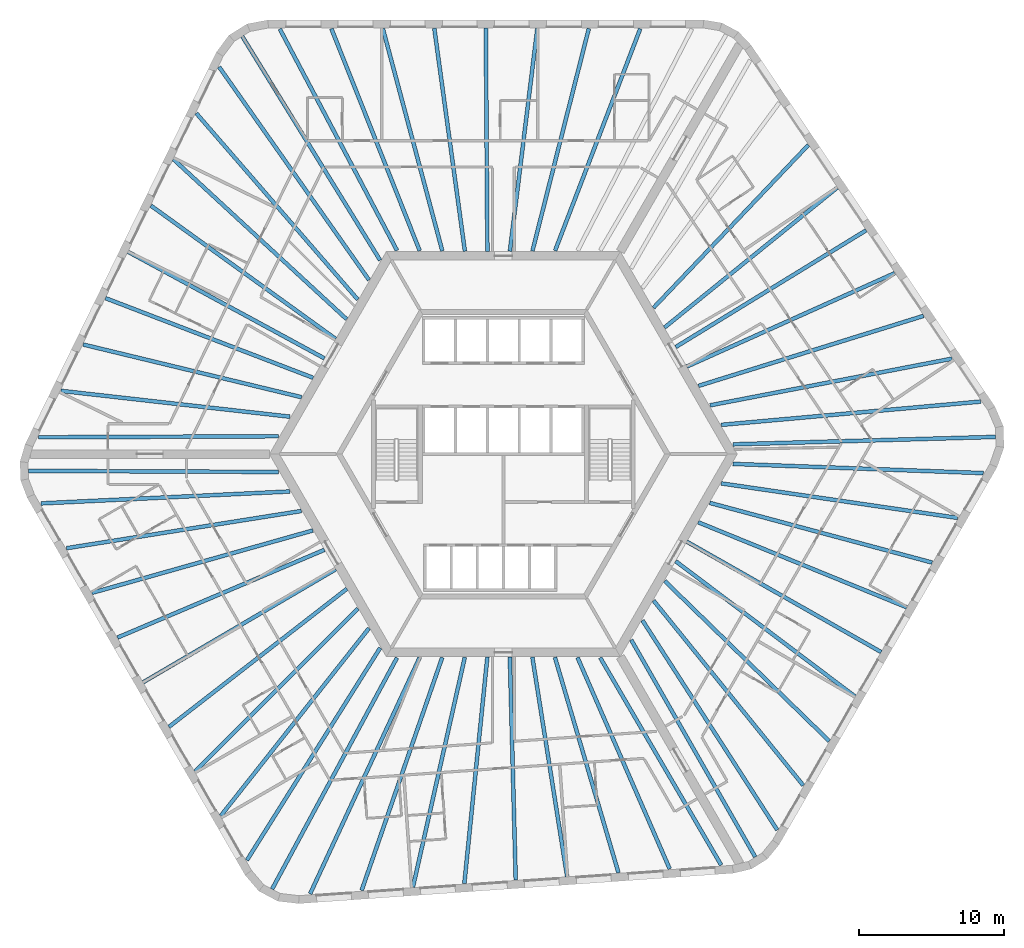
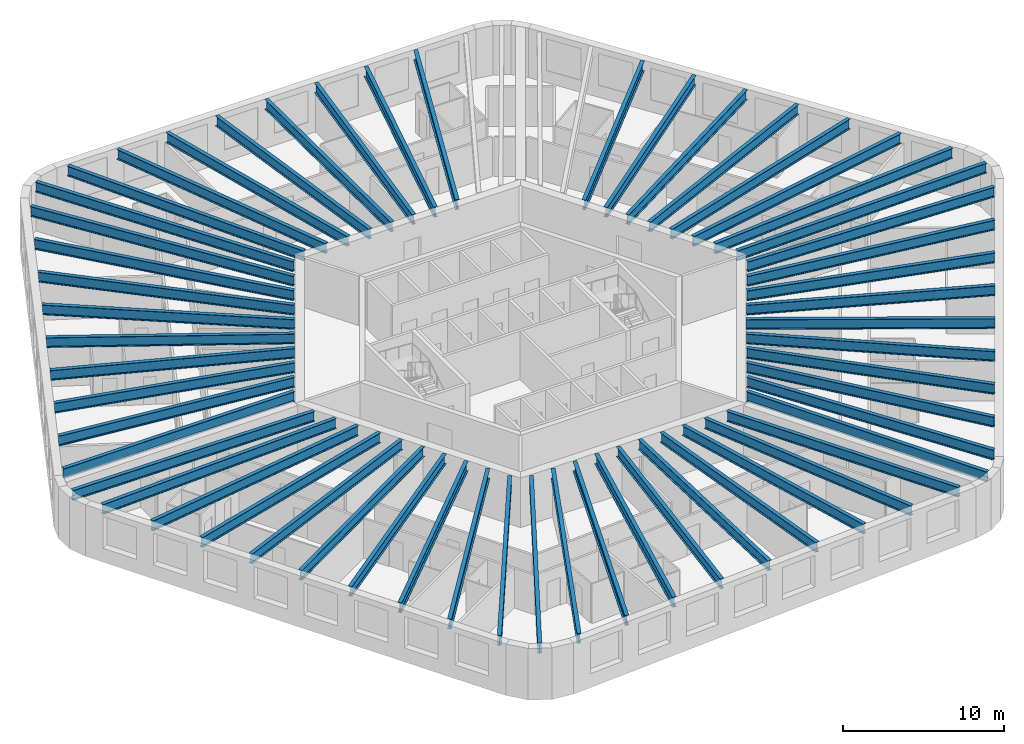
# One storey, part 1 of 12: 56 beams.
"""IFC4 building model written with IfcOpenShell, lengths in metres."""

from ifc_helpers import new_model, si_unit, direction, frame, origin, origin_2d, place, context, subcontext, project, spatial, i_section, extrude, material, material_profile, profile_set, type_object, element, save


model = new_model("IFC4")

# Units and contexts
model_context = context("Model", 3, precision=1e-05, world=origin(), true_north=direction((0.0, 1.0)))
body_context = subcontext(model_context, "Body", "Model", "MODEL_VIEW")
ifc_project = project(units=[si_unit("LENGTHUNIT", "METRE"), si_unit("AREAUNIT", "SQUARE_METRE"), si_unit("VOLUMEUNIT", "CUBIC_METRE"), si_unit("PLANEANGLEUNIT", "RADIAN"), si_unit("MASSUNIT", "GRAM", prefix="KILO")], contexts=[model_context])

# Site, building, storey
site_placement = place(None, origin())
site = spatial("IfcSite", under=ifc_project, at=site_placement, CompositionType="ELEMENT")
building_placement = place(site_placement, origin())
building = spatial("IfcBuilding", under=site, at=building_placement, Name="Tarnside Tower", CompositionType="ELEMENT")
storey_placement = place(building_placement, frame((0.0, 0.0, 88.199951171875)))
storey = spatial("IfcBuildingStorey", under=building, at=storey_placement, Name="L19", CompositionType="ELEMENT", Elevation=88.199951171875)

# Beams
ifc_material = material(Name="Steel S355", Category="steel")
ifc_material_profile_1 = material_profile(ifc_material, i_section(OverallWidth=0.26513671875, OverallDepth=0.75390625, WebThickness=0.0126953125, FlangeThickness=0.017578125, FilletRadius=0.0166015625, at=origin_2d()), Name="UB 762x267x147")
ifc_profile_set_1 = profile_set([ifc_material_profile_1], Name="Steel S355")
beam_type_1 = type_object("IfcBeamType", Name="Floor beam UB 762x267x147", PredefinedType="BEAM", material=ifc_profile_set_1)
beam_1_placement = place(storey_placement, frame((2.3525390625, 29.43017578125, 3.373046875), z_axis=(-0.122329629165, -0.992489527314, 0.0), x_axis=(0.992489527314, -0.122329629165, 0.0)))
element("IfcBeam", 1, at=beam_1_placement, inside=storey, type_object=beam_type_1, Name="Floor beam F1.04", PredefinedType="BEAM", context=body_context, shape_type="SweptSolid", body=[
    extrude(i_section(OverallWidth=0.26513671875, OverallDepth=0.75390625, WebThickness=0.0126953125, FlangeThickness=0.017578125, FilletRadius=0.0166015625, at=origin_2d()), origin(), (0.0, 0.0, 1.0), 15.527099609375),
])
beam_2_placement = place(storey_placement, frame((-1.208984375, 29.449951171875, 3.373046875), z_axis=(0.007000128723, -0.999975498799, 0.0), x_axis=(0.999975498799, 0.007000128723, 0.0)))
element("IfcBeam", 2, at=beam_2_placement, inside=storey, type_object=beam_type_1, Name="Floor beam F1.05", PredefinedType="BEAM", context=body_context, shape_type="SweptSolid", body=[
    extrude(i_section(OverallWidth=0.26513671875, OverallDepth=0.75390625, WebThickness=0.0126953125, FlangeThickness=0.017578125, FilletRadius=0.0166015625, at=origin_2d()), origin(), (0.0, 0.0, 1.0), 15.450439453125),
])
beam_3_placement = place(storey_placement, frame((-4.7705078125, 29.43017578125, 3.373046875), z_axis=(0.136000560933, -0.990708760144, 0.0), x_axis=(0.990708760144, 0.136000560933, 0.0)))
element("IfcBeam", 3, at=beam_3_placement, inside=storey, type_object=beam_type_1, Name="Floor beam F1.06", PredefinedType="BEAM", context=body_context, shape_type="SweptSolid", body=[
    extrude(i_section(OverallWidth=0.26513671875, OverallDepth=0.75390625, WebThickness=0.0126953125, FlangeThickness=0.017578125, FilletRadius=0.0166015625, at=origin_2d()), origin(), (0.0, 0.0, 1.0), 15.554931640625),
])
beam_4_placement = place(storey_placement, frame((-24.348876953125, 17.168212890625, 3.373046875), z_axis=(0.811027744825, -0.585007689799, 0.0), x_axis=(0.585007689799, 0.811027744825, 0.0)))
element("IfcBeam", 4, at=beam_4_placement, inside=storey, type_object=beam_type_1, Name="Floor beam F2.04", PredefinedType="BEAM", context=body_context, shape_type="SweptSolid", body=[
    extrude(i_section(OverallWidth=0.26513671875, OverallDepth=0.75390625, WebThickness=0.0126953125, FlangeThickness=0.017578125, FilletRadius=0.0166015625, at=origin_2d()), origin(), (0.0, 0.0, 1.0), 15.731689453125),
])
beam_5_placement = place(storey_placement, frame((-25.92626953125, 13.978271484375, 3.373046875), z_axis=(0.878894567679, -0.477016078245, 0.0), x_axis=(0.477016078245, 0.878894567679, 0.0)))
element("IfcBeam", 5, at=beam_5_placement, inside=storey, type_object=beam_type_1, Name="Floor beam F2.05", PredefinedType="BEAM", context=body_context, shape_type="SweptSolid", body=[
    extrude(i_section(OverallWidth=0.26513671875, OverallDepth=0.75390625, WebThickness=0.0126953125, FlangeThickness=0.017578125, FilletRadius=0.0166015625, at=origin_2d()), origin(), (0.0, 0.0, 1.0), 15.427490234375),
])
beam_6_placement = place(storey_placement, frame((-27.487548828125, 10.77734375, 3.373046875), z_axis=(0.933617702452, -0.358270827264, 0.0), x_axis=(0.358270827264, 0.933617702452, 0.0)))
element("IfcBeam", 6, at=beam_6_placement, inside=storey, type_object=beam_type_1, Name="Floor beam F2.06", PredefinedType="BEAM", context=body_context, shape_type="SweptSolid", body=[
    extrude(i_section(OverallWidth=0.26513671875, OverallDepth=0.75390625, WebThickness=0.0126953125, FlangeThickness=0.017578125, FilletRadius=0.0166015625, at=origin_2d()), origin(), (0.0, 0.0, 1.0), 15.363037109375),
])
beam_7_placement = place(storey_placement, frame((-29.029296875, 7.572509765625, 3.373046875), z_axis=(0.972101750991, -0.234559556873, 0.0), x_axis=(0.234559556873, 0.972101750991, 0.0)))
element("IfcBeam", 7, at=beam_7_placement, inside=storey, type_object=beam_type_1, Name="Floor beam F2.07", PredefinedType="BEAM", context=body_context, shape_type="SweptSolid", body=[
    extrude(i_section(OverallWidth=0.26513671875, OverallDepth=0.75390625, WebThickness=0.0126953125, FlangeThickness=0.017578125, FilletRadius=0.0166015625, at=origin_2d()), origin(), (0.0, 0.0, 1.0), 15.522216796875),
])
beam_8_placement = place(storey_placement, frame((-26.66357421875, -12.677734375, 3.373046875), z_axis=(0.920684021494, 0.390308765679, 0.0), x_axis=(-0.390308765679, 0.920684021494, 0.0)))
element("IfcBeam", 8, at=beam_8_placement, inside=storey, type_object=beam_type_1, Name="Floor beam F3.04", PredefinedType="BEAM", context=body_context, shape_type="SweptSolid", body=[
    extrude(i_section(OverallWidth=0.26513671875, OverallDepth=0.75390625, WebThickness=0.0126953125, FlangeThickness=0.017578125, FilletRadius=0.0166015625, at=origin_2d()), origin(), (0.0, 0.0, 1.0), 15.52685546875),
])
beam_9_placement = place(storey_placement, frame((-24.89990234375, -15.772216796875, 3.373046875), z_axis=(0.862497502004, 0.506061319443, 0.0), x_axis=(-0.506061319443, 0.862497502004, 0.0)))
element("IfcBeam", 9, at=beam_9_placement, inside=storey, type_object=beam_type_1, Name="Floor beam F3.05", PredefinedType="BEAM", context=body_context, shape_type="SweptSolid", body=[
    extrude(i_section(OverallWidth=0.26513671875, OverallDepth=0.75390625, WebThickness=0.0126953125, FlangeThickness=0.017578125, FilletRadius=0.0166015625, at=origin_2d()), origin(), (0.0, 0.0, 1.0), 15.450439453125),
])
beam_10_placement = place(storey_placement, frame((-23.10205078125, -18.846435546875, 3.373046875), z_axis=(0.789983963813, 0.613127504617, 0.0), x_axis=(-0.613127504617, 0.789983963813, 0.0)))
element("IfcBeam", 10, at=beam_10_placement, inside=storey, type_object=beam_type_1, Name="Floor beam F3.06", PredefinedType="BEAM", context=body_context, shape_type="SweptSolid", body=[
    extrude(i_section(OverallWidth=0.26513671875, OverallDepth=0.75390625, WebThickness=0.0126953125, FlangeThickness=0.017578125, FilletRadius=0.0166015625, at=origin_2d()), origin(), (0.0, 0.0, 1.0), 15.554931640625),
])
beam_11_placement = place(storey_placement, frame((-2.693603515625, -29.6708984375, 3.373046875), z_axis=(0.101123115756, 0.994873919379, 0.0), x_axis=(-0.994873919379, 0.101123115756, 0.0)))
element("IfcBeam", 11, at=beam_11_placement, inside=storey, type_object=beam_type_1, Name="Floor beam F4.04", PredefinedType="BEAM", context=body_context, shape_type="SweptSolid", body=[
    extrude(i_section(OverallWidth=0.26513671875, OverallDepth=0.75390625, WebThickness=0.0126953125, FlangeThickness=0.017578125, FilletRadius=0.0166015625, at=origin_2d()), origin(), (0.0, 0.0, 1.0), 15.7314453125),
])
beam_12_placement = place(storey_placement, frame((0.857666015625, -29.44189453125, 3.373046875), z_axis=(-0.026333316788, 0.999653218085, 0.0), x_axis=(-0.999653218085, -0.026333316788, 0.0)))
element("IfcBeam", 12, at=beam_12_placement, inside=storey, type_object=beam_type_1, Name="Floor beam F4.05", PredefinedType="BEAM", context=body_context, shape_type="SweptSolid", body=[
    extrude(i_section(OverallWidth=0.26513671875, OverallDepth=0.75390625, WebThickness=0.0126953125, FlangeThickness=0.017578125, FilletRadius=0.0166015625, at=origin_2d()), origin(), (0.0, 0.0, 1.0), 15.42724609375),
])
beam_13_placement = place(storey_placement, frame((4.41015625, -29.193603515625, 3.373046875), z_axis=(-0.156513375907, 0.98767583911, 0.0), x_axis=(-0.98767583911, -0.156513375907, 0.0)))
element("IfcBeam", 13, at=beam_13_placement, inside=storey, type_object=beam_type_1, Name="Floor beam F4.06", PredefinedType="BEAM", context=body_context, shape_type="SweptSolid", body=[
    extrude(i_section(OverallWidth=0.26513671875, OverallDepth=0.75390625, WebThickness=0.0126953125, FlangeThickness=0.017578125, FilletRadius=0.0166015625, at=origin_2d()), origin(), (0.0, 0.0, 1.0), 15.36328125),
])
beam_14_placement = place(storey_placement, frame((7.956787109375, -28.926513671875, 3.373046875), z_axis=(-0.282920694328, 0.959143305623, 0.0), x_axis=(-0.959143305623, -0.282920694328, 0.0)))
element("IfcBeam", 14, at=beam_14_placement, inside=storey, type_object=beam_type_1, Name="Floor beam F4.07", PredefinedType="BEAM", context=body_context, shape_type="SweptSolid", body=[
    extrude(i_section(OverallWidth=0.26513671875, OverallDepth=0.75390625, WebThickness=0.0126953125, FlangeThickness=0.017578125, FilletRadius=0.0166015625, at=origin_2d()), origin(), (0.0, 0.0, 1.0), 15.5224609375),
])
beam_15_placement = place(storey_placement, frame((24.31103515625, -16.75244140625, 3.373046875), z_axis=(-0.798361152727, 0.602178935049, 0.0), x_axis=(-0.602178935049, -0.798361152727, 0.0)))
element("IfcBeam", 15, at=beam_15_placement, inside=storey, type_object=beam_type_1, Name="Floor beam F5.04", PredefinedType="BEAM", context=body_context, shape_type="SweptSolid", body=[
    extrude(i_section(OverallWidth=0.26513671875, OverallDepth=0.75390625, WebThickness=0.0126953125, FlangeThickness=0.017578125, FilletRadius=0.0166015625, at=origin_2d()), origin(), (0.0, 0.0, 1.0), 15.527099609375),
])
beam_16_placement = place(storey_placement, frame((26.10888671875, -13.677978515625, 3.373046875), z_axis=(-0.869502520992, 0.493928502911, 0.0), x_axis=(-0.493928502911, -0.869502520992, 0.0)))
element("IfcBeam", 16, at=beam_16_placement, inside=storey, type_object=beam_type_1, Name="Floor beam F5.05", PredefinedType="BEAM", context=body_context, shape_type="SweptSolid", body=[
    extrude(i_section(OverallWidth=0.26513671875, OverallDepth=0.75390625, WebThickness=0.0126953125, FlangeThickness=0.017578125, FilletRadius=0.0166015625, at=origin_2d()), origin(), (0.0, 0.0, 1.0), 15.4501953125),
])
beam_17_placement = place(storey_placement, frame((27.87255859375, -10.58349609375, 3.373046875), z_axis=(-0.925981621163, 0.377568586177, 0.0), x_axis=(-0.377568586177, -0.925981621163, 0.0)))
element("IfcBeam", 17, at=beam_17_placement, inside=storey, type_object=beam_type_1, Name="Floor beam F5.06", PredefinedType="BEAM", context=body_context, shape_type="SweptSolid", body=[
    extrude(i_section(OverallWidth=0.26513671875, OverallDepth=0.75390625, WebThickness=0.0126953125, FlangeThickness=0.017578125, FilletRadius=0.0166015625, at=origin_2d()), origin(), (0.0, 0.0, 1.0), 15.554931640625),
])
beam_18_placement = place(storey_placement, frame((27.04248046875, 12.502685546875, 3.373046875), z_axis=(-0.912146413919, -0.409864513681, 0.0), x_axis=(0.409864513681, -0.912146413919, 0.0)))
element("IfcBeam", 18, at=beam_18_placement, inside=storey, type_object=beam_type_1, Name="Floor beam F6.04", PredefinedType="BEAM", context=body_context, shape_type="SweptSolid", body=[
    extrude(i_section(OverallWidth=0.26513671875, OverallDepth=0.75390625, WebThickness=0.0126953125, FlangeThickness=0.017578125, FilletRadius=0.0166015625, at=origin_2d()), origin(), (0.0, 0.0, 1.0), 15.7314453125),
])
beam_19_placement = place(storey_placement, frame((25.068603515625, 15.463623046875, 3.373046875), z_axis=(-0.852558490017, -0.522631821744, 0.0), x_axis=(0.522631821744, -0.852558490017, 0.0)))
element("IfcBeam", 19, at=beam_19_placement, inside=storey, type_object=beam_type_1, Name="Floor beam F6.05", PredefinedType="BEAM", context=body_context, shape_type="SweptSolid", body=[
    extrude(i_section(OverallWidth=0.26513671875, OverallDepth=0.75390625, WebThickness=0.0126953125, FlangeThickness=0.017578125, FilletRadius=0.0166015625, at=origin_2d()), origin(), (0.0, 0.0, 1.0), 15.42724609375),
])
beam_20_placement = place(storey_placement, frame((23.0771484375, 18.416259765625, 3.373046875), z_axis=(-0.777079423039, -0.629402550272, 0.0), x_axis=(0.629402550272, -0.777079423039, 0.0)))
element("IfcBeam", 20, at=beam_20_placement, inside=storey, type_object=beam_type_1, Name="Floor beam F6.06", PredefinedType="BEAM", context=body_context, shape_type="SweptSolid", body=[
    extrude(i_section(OverallWidth=0.26513671875, OverallDepth=0.75390625, WebThickness=0.0126953125, FlangeThickness=0.017578125, FilletRadius=0.0166015625, at=origin_2d()), origin(), (0.0, 0.0, 1.0), 15.36328125),
])
beam_21_placement = place(storey_placement, frame((21.072509765625, 21.35400390625, 3.373046875), z_axis=(-0.689174694318, -0.724595225427, 0.0), x_axis=(0.724595225427, -0.689174694318, 0.0)))
element("IfcBeam", 21, at=beam_21_placement, inside=storey, type_object=beam_type_1, Name="Floor beam F6.07", PredefinedType="BEAM", context=body_context, shape_type="SweptSolid", body=[
    extrude(i_section(OverallWidth=0.26513671875, OverallDepth=0.75390625, WebThickness=0.0126953125, FlangeThickness=0.017578125, FilletRadius=0.0166015625, at=origin_2d()), origin(), (0.0, 0.0, 1.0), 15.522216796875),
])
ifc_material_profile_2 = material_profile(ifc_material, i_section(OverallWidth=0.2666015625, OverallDepth=0.76220703125, WebThickness=0.014404296875, FlangeThickness=0.021484375, FilletRadius=0.0166015625, at=origin_2d()), Name="UB 762x267x173")
ifc_profile_set_2 = profile_set([ifc_material_profile_2], Name="Steel S355")
beam_type_2 = type_object("IfcBeamType", Name="Floor beam UB 762x267x173", PredefinedType="BEAM", material=ifc_profile_set_2)
beam_22_placement = place(storey_placement, frame((9.4619140625, 29.39404296875, 3.368896484375), z_axis=(-0.358299847269, -0.933606565662, 0.0), x_axis=(0.933606565662, -0.358299847269, 0.0)))
element("IfcBeam", 22, at=beam_22_placement, inside=storey, type_object=beam_type_2, Name="Floor beam F1.02", PredefinedType="BEAM", context=body_context, shape_type="SweptSolid", body=[
    extrude(i_section(OverallWidth=0.2666015625, OverallDepth=0.76220703125, WebThickness=0.014404296875, FlangeThickness=0.021484375, FilletRadius=0.0166015625, at=origin_2d()), origin(), (0.0, 0.0, 1.0), 16.428955078125),
])
beam_23_placement = place(storey_placement, frame((5.909423828125, 29.4111328125, 3.368896484375), z_axis=(-0.245747281389, -0.969333933013, 0.0), x_axis=(0.969333933013, -0.245747281389, 0.0)))
element("IfcBeam", 23, at=beam_23_placement, inside=storey, type_object=beam_type_2, Name="Floor beam F1.03", PredefinedType="BEAM", context=body_context, shape_type="SweptSolid", body=[
    extrude(i_section(OverallWidth=0.2666015625, OverallDepth=0.76220703125, WebThickness=0.014404296875, FlangeThickness=0.021484375, FilletRadius=0.0166015625, at=origin_2d()), origin(), (0.0, 0.0, 1.0), 15.858642578125),
])
beam_24_placement = place(storey_placement, frame((-8.3271484375, 29.411376953125, 3.368896484375), z_axis=(0.258447478572, -0.966025310652, 0.0), x_axis=(0.966025310652, 0.258447478572, 0.0)))
element("IfcBeam", 24, at=beam_24_placement, inside=storey, type_object=beam_type_2, Name="Floor beam F1.07", PredefinedType="BEAM", context=body_context, shape_type="SweptSolid", body=[
    extrude(i_section(OverallWidth=0.2666015625, OverallDepth=0.76220703125, WebThickness=0.014404296875, FlangeThickness=0.021484375, FilletRadius=0.0166015625, at=origin_2d()), origin(), (0.0, 0.0, 1.0), 15.91357421875),
])
beam_25_placement = place(storey_placement, frame((-11.87939453125, 29.394287109375, 3.368896484375), z_axis=(0.369638204477, -0.929175762593, 0.0), x_axis=(0.929175762593, 0.369638204477, 0.0)))
element("IfcBeam", 25, at=beam_25_placement, inside=storey, type_object=beam_type_2, Name="Floor beam F1.08", PredefinedType="BEAM", context=body_context, shape_type="SweptSolid", body=[
    extrude(i_section(OverallWidth=0.2666015625, OverallDepth=0.76220703125, WebThickness=0.014404296875, FlangeThickness=0.021484375, FilletRadius=0.0166015625, at=origin_2d()), origin(), (0.0, 0.0, 1.0), 16.507568359375),
])
beam_26_placement = place(storey_placement, frame((-15.44580078125, 29.37939453125, 3.368896484375), z_axis=(0.467741993634, -0.883865050441, 0.0), x_axis=(0.883865050441, 0.467741993634, 0.0)))
element("IfcBeam", 26, at=beam_26_placement, inside=storey, type_object=beam_type_2, Name="Floor beam F1.09", PredefinedType="BEAM", context=body_context, shape_type="SweptSolid", body=[
    extrude(i_section(OverallWidth=0.2666015625, OverallDepth=0.76220703125, WebThickness=0.014404296875, FlangeThickness=0.021484375, FilletRadius=0.0166015625, at=origin_2d()), origin(), (0.0, 0.0, 1.0), 17.320068359375),
])
beam_27_placement = place(storey_placement, frame((-18.042236328125, 28.8701171875, 3.368896484375), z_axis=(0.524382977035, -0.851482526771, 0.0), x_axis=(0.851482526771, 0.524382977035, 0.0)))
element("IfcBeam", 27, at=beam_27_placement, inside=storey, type_object=beam_type_2, Name="Floor beam C1", PredefinedType="BEAM", context=body_context, shape_type="SweptSolid", body=[
    extrude(i_section(OverallWidth=0.2666015625, OverallDepth=0.76220703125, WebThickness=0.014404296875, FlangeThickness=0.021484375, FilletRadius=0.0166015625, at=origin_2d()), origin(), (0.0, 0.0, 1.0), 18.1728515625),
])
beam_28_placement = place(storey_placement, frame((-19.638671875, 26.75537109375, 3.368896484375), z_axis=(0.575411427849, -0.817864101609, 0.0), x_axis=(0.817864101609, 0.575411427849, 0.0)))
element("IfcBeam", 28, at=beam_28_placement, inside=storey, type_object=beam_type_2, Name="Floor beam F2.01", PredefinedType="BEAM", context=body_context, shape_type="SweptSolid", body=[
    extrude(i_section(OverallWidth=0.2666015625, OverallDepth=0.76220703125, WebThickness=0.014404296875, FlangeThickness=0.021484375, FilletRadius=0.0166015625, at=origin_2d()), origin(), (0.0, 0.0, 1.0), 18.00048828125),
])
beam_29_placement = place(storey_placement, frame((-21.21630859375, 23.554931640625, 3.368896484375), z_axis=(0.654980748073, -0.755645564834, 0.0), x_axis=(0.755645564834, 0.654980748073, 0.0)))
element("IfcBeam", 29, at=beam_29_placement, inside=storey, type_object=beam_type_2, Name="Floor beam F2.02", PredefinedType="BEAM", context=body_context, shape_type="SweptSolid", body=[
    extrude(i_section(OverallWidth=0.2666015625, OverallDepth=0.76220703125, WebThickness=0.014404296875, FlangeThickness=0.021484375, FilletRadius=0.0166015625, at=origin_2d()), origin(), (0.0, 0.0, 1.0), 17.0302734375),
])
beam_30_placement = place(storey_placement, frame((-22.7890625, 20.368408203125, 3.368896484375), z_axis=(0.734715474517, -0.678375391288, 0.0), x_axis=(0.678375391288, 0.734715474517, 0.0)))
element("IfcBeam", 30, at=beam_30_placement, inside=storey, type_object=beam_type_2, Name="Floor beam F2.03", PredefinedType="BEAM", context=body_context, shape_type="SweptSolid", body=[
    extrude(i_section(OverallWidth=0.2666015625, OverallDepth=0.76220703125, WebThickness=0.014404296875, FlangeThickness=0.021484375, FilletRadius=0.0166015625, at=origin_2d()), origin(), (0.0, 0.0, 1.0), 16.2802734375),
])
beam_31_placement = place(storey_placement, frame((-30.570556640625, 4.372802734375, 3.368896484375), z_axis=(0.993687302776, -0.112185312326, 0.0), x_axis=(0.112185312326, 0.993687302776, 0.0)))
element("IfcBeam", 31, at=beam_31_placement, inside=storey, type_object=beam_type_2, Name="Floor beam F2.08", PredefinedType="BEAM", context=body_context, shape_type="SweptSolid", body=[
    extrude(i_section(OverallWidth=0.2666015625, OverallDepth=0.76220703125, WebThickness=0.014404296875, FlangeThickness=0.021484375, FilletRadius=0.0166015625, at=origin_2d()), origin(), (0.0, 0.0, 1.0), 15.934326171875),
])
beam_32_placement = place(storey_placement, frame((-32.119384765625, 1.162109375, 3.368896484375), z_axis=(0.999990508787, 0.004356872304, 0.0), x_axis=(-0.004356872304, 0.999990508787, 0.0)))
element("IfcBeam", 32, at=beam_32_placement, inside=storey, type_object=beam_type_2, Name="Floor beam F2.09", PredefinedType="BEAM", context=body_context, shape_type="SweptSolid", body=[
    extrude(i_section(OverallWidth=0.2666015625, OverallDepth=0.76220703125, WebThickness=0.014404296875, FlangeThickness=0.021484375, FilletRadius=0.0166015625, at=origin_2d()), origin(), (0.0, 0.0, 1.0), 16.586669921875),
])
beam_33_placement = place(storey_placement, frame((-32.80712890625, -1.1572265625, 3.368896484375), z_axis=(0.999990027056, -0.004466070929, 0.0), x_axis=(0.004466070929, 0.999990027056, 0.0)))
element("IfcBeam", 33, at=beam_33_placement, inside=storey, type_object=beam_type_2, Name="Floor beam C2", PredefinedType="BEAM", context=body_context, shape_type="SweptSolid", body=[
    extrude(i_section(OverallWidth=0.2666015625, OverallDepth=0.76220703125, WebThickness=0.014404296875, FlangeThickness=0.021484375, FilletRadius=0.0166015625, at=origin_2d()), origin(), (0.0, 0.0, 1.0), 17.2744140625),
])
beam_34_placement = place(storey_placement, frame((-31.95703125, -3.406494140625, 3.368896484375), z_axis=(0.998853818522, 0.047864905982, 0.0), x_axis=(-0.047864905982, 0.998853818522, 0.0)))
element("IfcBeam", 34, at=beam_34_placement, inside=storey, type_object=beam_type_2, Name="Floor beam F3.01", PredefinedType="BEAM", context=body_context, shape_type="SweptSolid", body=[
    extrude(i_section(OverallWidth=0.2666015625, OverallDepth=0.76220703125, WebThickness=0.014404296875, FlangeThickness=0.021484375, FilletRadius=0.0166015625, at=origin_2d()), origin(), (0.0, 0.0, 1.0), 17.2197265625),
])
beam_35_placement = place(storey_placement, frame((-30.18701171875, -6.502685546875, 3.368896484375), z_axis=(0.987678477078, 0.156496728136, 0.0), x_axis=(-0.156496728136, 0.987678477078, 0.0)))
element("IfcBeam", 35, at=beam_35_placement, inside=storey, type_object=beam_type_2, Name="Floor beam F3.02", PredefinedType="BEAM", context=body_context, shape_type="SweptSolid", body=[
    extrude(i_section(OverallWidth=0.2666015625, OverallDepth=0.76220703125, WebThickness=0.014404296875, FlangeThickness=0.021484375, FilletRadius=0.0166015625, at=origin_2d()), origin(), (0.0, 0.0, 1.0), 16.4287109375),
])
beam_36_placement = place(storey_placement, frame((-28.425537109375, -9.587890625, 3.368896484375), z_axis=(0.962342240503, 0.271840784547, 0.0), x_axis=(-0.271840784547, 0.962342240503, 0.0)))
element("IfcBeam", 36, at=beam_36_placement, inside=storey, type_object=beam_type_2, Name="Floor beam F3.03", PredefinedType="BEAM", context=body_context, shape_type="SweptSolid", body=[
    extrude(i_section(OverallWidth=0.2666015625, OverallDepth=0.76220703125, WebThickness=0.014404296875, FlangeThickness=0.021484375, FilletRadius=0.0166015625, at=origin_2d()), origin(), (0.0, 0.0, 1.0), 15.858642578125),
])
beam_37_placement = place(storey_placement, frame((-21.307373046875, -21.917236328125, 3.368896484375), z_axis=(0.707367544857, 0.706845921318, 0.0), x_axis=(-0.706845921318, 0.707367544857, 0.0)))
element("IfcBeam", 37, at=beam_37_placement, inside=storey, type_object=beam_type_2, Name="Floor beam F3.07", PredefinedType="BEAM", context=body_context, shape_type="SweptSolid", body=[
    extrude(i_section(OverallWidth=0.2666015625, OverallDepth=0.76220703125, WebThickness=0.014404296875, FlangeThickness=0.021484375, FilletRadius=0.0166015625, at=origin_2d()), origin(), (0.0, 0.0, 1.0), 15.913330078125),
])
beam_38_placement = place(storey_placement, frame((-19.516357421875, -24.985107421875, 3.368896484375), z_axis=(0.619872995007, 0.784702153725, 0.0), x_axis=(-0.784702153725, 0.619872995007, 0.0)))
element("IfcBeam", 38, at=beam_38_placement, inside=storey, type_object=beam_type_2, Name="Floor beam F3.08", PredefinedType="BEAM", context=body_context, shape_type="SweptSolid", body=[
    extrude(i_section(OverallWidth=0.2666015625, OverallDepth=0.76220703125, WebThickness=0.014404296875, FlangeThickness=0.021484375, FilletRadius=0.0166015625, at=origin_2d()), origin(), (0.0, 0.0, 1.0), 16.507568359375),
])
beam_39_placement = place(storey_placement, frame((-17.72021484375, -28.066162109375, 3.368896484375), z_axis=(0.531583085704, 0.847006152866, 0.0), x_axis=(-0.847006152866, 0.531583085704, 0.0)))
element("IfcBeam", 39, at=beam_39_placement, inside=storey, type_object=beam_type_2, Name="Floor beam F3.09", PredefinedType="BEAM", context=body_context, shape_type="SweptSolid", body=[
    extrude(i_section(OverallWidth=0.2666015625, OverallDepth=0.76220703125, WebThickness=0.014404296875, FlangeThickness=0.021484375, FilletRadius=0.0166015625, at=origin_2d()), origin(), (0.0, 0.0, 1.0), 17.320068359375),
])
beam_40_placement = place(storey_placement, frame((-15.981201171875, -30.060302734375, 3.368896484375), z_axis=(0.475208200571, 0.879873380726, 0.0), x_axis=(-0.879873380726, 0.475208200571, 0.0)))
element("IfcBeam", 40, at=beam_40_placement, inside=storey, type_object=beam_type_2, Name="Floor beam C3", PredefinedType="BEAM", context=body_context, shape_type="SweptSolid", body=[
    extrude(i_section(OverallWidth=0.2666015625, OverallDepth=0.76220703125, WebThickness=0.014404296875, FlangeThickness=0.021484375, FilletRadius=0.0166015625, at=origin_2d()), origin(), (0.0, 0.0, 1.0), 18.173095703125),
])
beam_41_placement = place(storey_placement, frame((-13.3515625, -30.38525390625, 3.368896484375), z_axis=(0.42059199668, 0.907249895193, 0.0), x_axis=(-0.907249895193, 0.42059199668, 0.0)))
element("IfcBeam", 41, at=beam_41_placement, inside=storey, type_object=beam_type_2, Name="Floor beam F4.01", PredefinedType="BEAM", context=body_context, shape_type="SweptSolid", body=[
    extrude(i_section(OverallWidth=0.2666015625, OverallDepth=0.76220703125, WebThickness=0.014404296875, FlangeThickness=0.021484375, FilletRadius=0.0166015625, at=origin_2d()), origin(), (0.0, 0.0, 1.0), 18.000244140625),
])
beam_42_placement = place(storey_placement, frame((-9.791015625, -30.151123046875, 3.368896484375), z_axis=(0.326912128872, 0.945054739153, 0.0), x_axis=(-0.945054739153, 0.326912128872, 0.0)))
element("IfcBeam", 42, at=beam_42_placement, inside=storey, type_object=beam_type_2, Name="Floor beam F4.02", PredefinedType="BEAM", context=body_context, shape_type="SweptSolid", body=[
    extrude(i_section(OverallWidth=0.2666015625, OverallDepth=0.76220703125, WebThickness=0.014404296875, FlangeThickness=0.021484375, FilletRadius=0.0166015625, at=origin_2d()), origin(), (0.0, 0.0, 1.0), 17.0302734375),
])
beam_43_placement = place(storey_placement, frame((-6.2451171875, -29.920166015625, 3.368896484375), z_axis=(0.220139818673, 0.975468328668, 0.0), x_axis=(-0.975468328668, 0.220139818673, 0.0)))
element("IfcBeam", 43, at=beam_43_placement, inside=storey, type_object=beam_type_2, Name="Floor beam F4.03", PredefinedType="BEAM", context=body_context, shape_type="SweptSolid", body=[
    extrude(i_section(OverallWidth=0.2666015625, OverallDepth=0.76220703125, WebThickness=0.014404296875, FlangeThickness=0.021484375, FilletRadius=0.0166015625, at=origin_2d()), origin(), (0.0, 0.0, 1.0), 16.280517578125),
])
beam_44_placement = place(storey_placement, frame((11.498291015625, -28.6611328125, 3.368896484375), z_axis=(-0.399695682658, 0.916647893831, 0.0), x_axis=(-0.916647893831, -0.399695682658, 0.0)))
element("IfcBeam", 44, at=beam_44_placement, inside=storey, type_object=beam_type_2, Name="Floor beam F4.08", PredefinedType="BEAM", context=body_context, shape_type="SweptSolid", body=[
    extrude(i_section(OverallWidth=0.2666015625, OverallDepth=0.76220703125, WebThickness=0.014404296875, FlangeThickness=0.021484375, FilletRadius=0.0166015625, at=origin_2d()), origin(), (0.0, 0.0, 1.0), 15.934326171875),
])
beam_45_placement = place(storey_placement, frame((15.05322265625, -28.3974609375, 3.368896484375), z_axis=(-0.503758455062, 0.86384455717, 0.0), x_axis=(-0.86384455717, -0.503758455062, 0.0)))
element("IfcBeam", 45, at=beam_45_placement, inside=storey, type_object=beam_type_2, Name="Floor beam F4.09", PredefinedType="BEAM", context=body_context, shape_type="SweptSolid", body=[
    extrude(i_section(OverallWidth=0.2666015625, OverallDepth=0.76220703125, WebThickness=0.014404296875, FlangeThickness=0.021484375, FilletRadius=0.0166015625, at=origin_2d()), origin(), (0.0, 0.0, 1.0), 16.586669921875),
])
beam_46_placement = place(storey_placement, frame((17.40576171875, -27.833251953125, 3.368896484375), z_axis=(-0.496126762138, 0.868250099851, 0.0), x_axis=(-0.868250099851, -0.496126762138, 0.0)))
element("IfcBeam", 46, at=beam_46_placement, inside=storey, type_object=beam_type_2, Name="Floor beam C4", PredefinedType="BEAM", context=body_context, shape_type="SweptSolid", body=[
    extrude(i_section(OverallWidth=0.2666015625, OverallDepth=0.76220703125, WebThickness=0.014404296875, FlangeThickness=0.021484375, FilletRadius=0.0166015625, at=origin_2d()), origin(), (0.0, 0.0, 1.0), 17.2744140625),
])
beam_47_placement = place(storey_placement, frame((18.9287109375, -25.972412109375, 3.368896484375), z_axis=(-0.540872954463, 0.841104302171, 0.0), x_axis=(-0.841104302171, -0.540872954463, 0.0)))
element("IfcBeam", 47, at=beam_47_placement, inside=storey, type_object=beam_type_2, Name="Floor beam F5.01", PredefinedType="BEAM", context=body_context, shape_type="SweptSolid", body=[
    extrude(i_section(OverallWidth=0.2666015625, OverallDepth=0.76220703125, WebThickness=0.014404296875, FlangeThickness=0.021484375, FilletRadius=0.0166015625, at=origin_2d()), origin(), (0.0, 0.0, 1.0), 17.2197265625),
])
beam_48_placement = place(storey_placement, frame((20.72509765625, -22.89111328125, 3.368896484375), z_axis=(-0.62939015525, 0.777089462336, 0.0), x_axis=(-0.777089462336, -0.62939015525, 0.0)))
element("IfcBeam", 48, at=beam_48_placement, inside=storey, type_object=beam_type_2, Name="Floor beam F5.02", PredefinedType="BEAM", context=body_context, shape_type="SweptSolid", body=[
    extrude(i_section(OverallWidth=0.2666015625, OverallDepth=0.76220703125, WebThickness=0.014404296875, FlangeThickness=0.021484375, FilletRadius=0.0166015625, at=origin_2d()), origin(), (0.0, 0.0, 1.0), 16.4287109375),
])
beam_49_placement = place(storey_placement, frame((22.51611328125, -19.8232421875, 3.368896484375), z_axis=(-0.716594696052, 0.697489814686, 0.0), x_axis=(-0.697489814686, -0.716594696052, 0.0)))
element("IfcBeam", 49, at=beam_49_placement, inside=storey, type_object=beam_type_2, Name="Floor beam F5.03", PredefinedType="BEAM", context=body_context, shape_type="SweptSolid", body=[
    extrude(i_section(OverallWidth=0.2666015625, OverallDepth=0.76220703125, WebThickness=0.014404296875, FlangeThickness=0.021484375, FilletRadius=0.0166015625, at=origin_2d()), origin(), (0.0, 0.0, 1.0), 15.858642578125),
])
beam_50_placement = place(storey_placement, frame((29.634521484375, -7.494140625, 3.368896484375), z_axis=(-0.965827851395, 0.259184415946, 0.0), x_axis=(-0.259184415946, -0.965827851395, 0.0)))
element("IfcBeam", 50, at=beam_50_placement, inside=storey, type_object=beam_type_2, Name="Floor beam F5.07", PredefinedType="BEAM", context=body_context, shape_type="SweptSolid", body=[
    extrude(i_section(OverallWidth=0.2666015625, OverallDepth=0.76220703125, WebThickness=0.014404296875, FlangeThickness=0.021484375, FilletRadius=0.0166015625, at=origin_2d()), origin(), (0.0, 0.0, 1.0), 15.913330078125),
])
beam_51_placement = place(storey_placement, frame((31.39599609375, -4.4091796875, 3.368896484375), z_axis=(-0.989507887412, 0.144478859177, 0.0), x_axis=(-0.144478859177, -0.989507887412, 0.0)))
element("IfcBeam", 51, at=beam_51_placement, inside=storey, type_object=beam_type_2, Name="Floor beam F5.08", PredefinedType="BEAM", context=body_context, shape_type="SweptSolid", body=[
    extrude(i_section(OverallWidth=0.2666015625, OverallDepth=0.76220703125, WebThickness=0.014404296875, FlangeThickness=0.021484375, FilletRadius=0.0166015625, at=origin_2d()), origin(), (0.0, 0.0, 1.0), 16.507568359375),
])
beam_52_placement = place(storey_placement, frame((33.166259765625, -1.31298828125, 3.368896484375), z_axis=(-0.999320941149, 0.036846391708, 0.0), x_axis=(-0.036846391708, -0.999320941149, 0.0)))
element("IfcBeam", 52, at=beam_52_placement, inside=storey, type_object=beam_type_2, Name="Floor beam F5.09", PredefinedType="BEAM", context=body_context, shape_type="SweptSolid", body=[
    extrude(i_section(OverallWidth=0.2666015625, OverallDepth=0.76220703125, WebThickness=0.014404296875, FlangeThickness=0.021484375, FilletRadius=0.0166015625, at=origin_2d()), origin(), (0.0, 0.0, 1.0), 17.320068359375),
])
beam_53_placement = place(storey_placement, frame((34.0234375, 1.18994140625, 3.368896484375), z_axis=(-0.999597013499, -0.028386803343, 0.0), x_axis=(0.028386803343, -0.999597013499, 0.0)))
element("IfcBeam", 53, at=beam_53_placement, inside=storey, type_object=beam_type_2, Name="Floor beam C5", PredefinedType="BEAM", context=body_context, shape_type="SweptSolid", body=[
    extrude(i_section(OverallWidth=0.2666015625, OverallDepth=0.76220703125, WebThickness=0.014404296875, FlangeThickness=0.021484375, FilletRadius=0.0166015625, at=origin_2d()), origin(), (0.0, 0.0, 1.0), 18.1728515625),
])
beam_54_placement = place(storey_placement, frame((32.990234375, 3.6298828125, 3.368896484375), z_axis=(-0.995997485142, -0.089381259731, 0.0), x_axis=(0.089381259731, -0.995997485142, 0.0)))
element("IfcBeam", 54, at=beam_54_placement, inside=storey, type_object=beam_type_2, Name="Floor beam F6.01", PredefinedType="BEAM", context=body_context, shape_type="SweptSolid", body=[
    extrude(i_section(OverallWidth=0.2666015625, OverallDepth=0.76220703125, WebThickness=0.014404296875, FlangeThickness=0.021484375, FilletRadius=0.0166015625, at=origin_2d()), origin(), (0.0, 0.0, 1.0), 18.000244140625),
])
beam_55_placement = place(storey_placement, frame((31.007080078125, 6.596435546875, 3.368896484375), z_axis=(-0.981896564922, -0.189417886679, 0.0), x_axis=(0.189417886679, -0.981896564922, 0.0)))
element("IfcBeam", 55, at=beam_55_placement, inside=storey, type_object=beam_type_2, Name="Floor beam F6.02", PredefinedType="BEAM", context=body_context, shape_type="SweptSolid", body=[
    extrude(i_section(OverallWidth=0.2666015625, OverallDepth=0.76220703125, WebThickness=0.014404296875, FlangeThickness=0.021484375, FilletRadius=0.0166015625, at=origin_2d()), origin(), (0.0, 0.0, 1.0), 17.0302734375),
])
beam_56_placement = place(storey_placement, frame((29.0341796875, 9.5517578125, 3.368896484375), z_axis=(-0.954846945108, -0.297098151152, 0.0), x_axis=(0.297098151152, -0.954846945108, 0.0)))
element("IfcBeam", 56, at=beam_56_placement, inside=storey, type_object=beam_type_2, Name="Floor beam F6.03", PredefinedType="BEAM", context=body_context, shape_type="SweptSolid", body=[
    extrude(i_section(OverallWidth=0.2666015625, OverallDepth=0.76220703125, WebThickness=0.014404296875, FlangeThickness=0.021484375, FilletRadius=0.0166015625, at=origin_2d()), origin(), (0.0, 0.0, 1.0), 16.280517578125),
])

save(model, "model.ifc")
